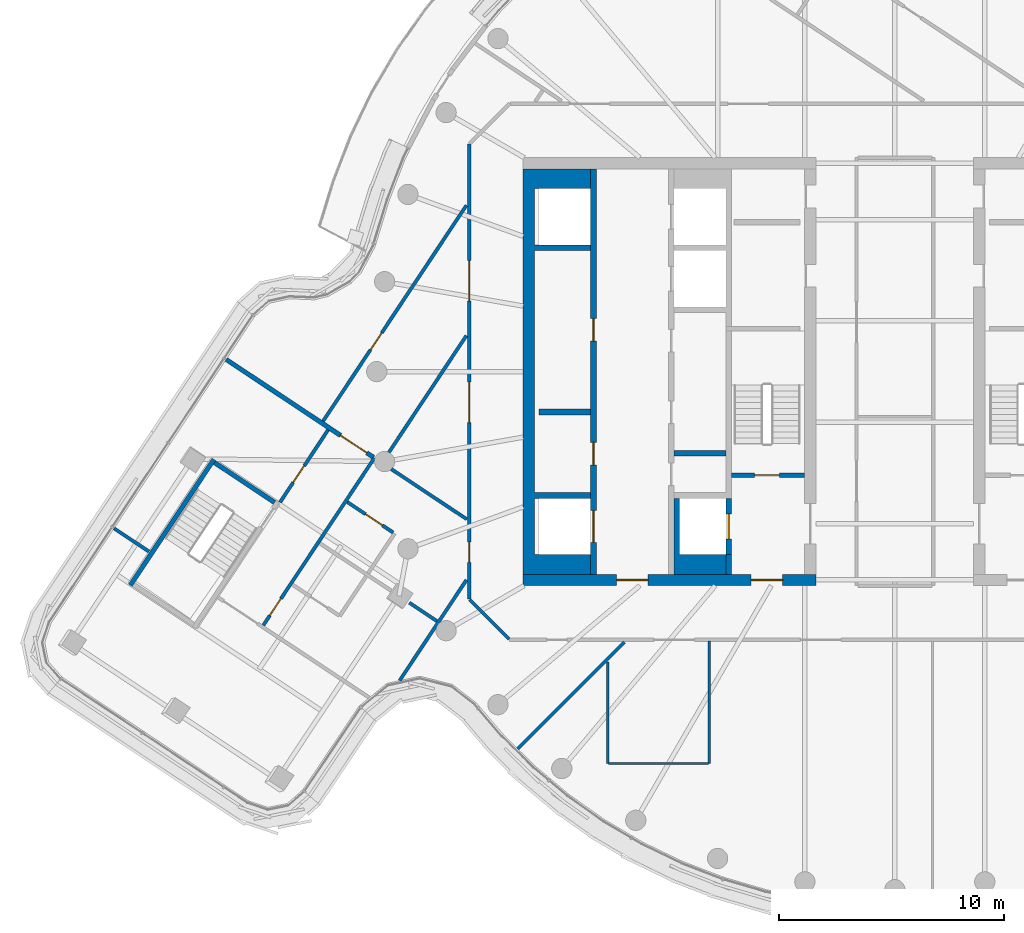
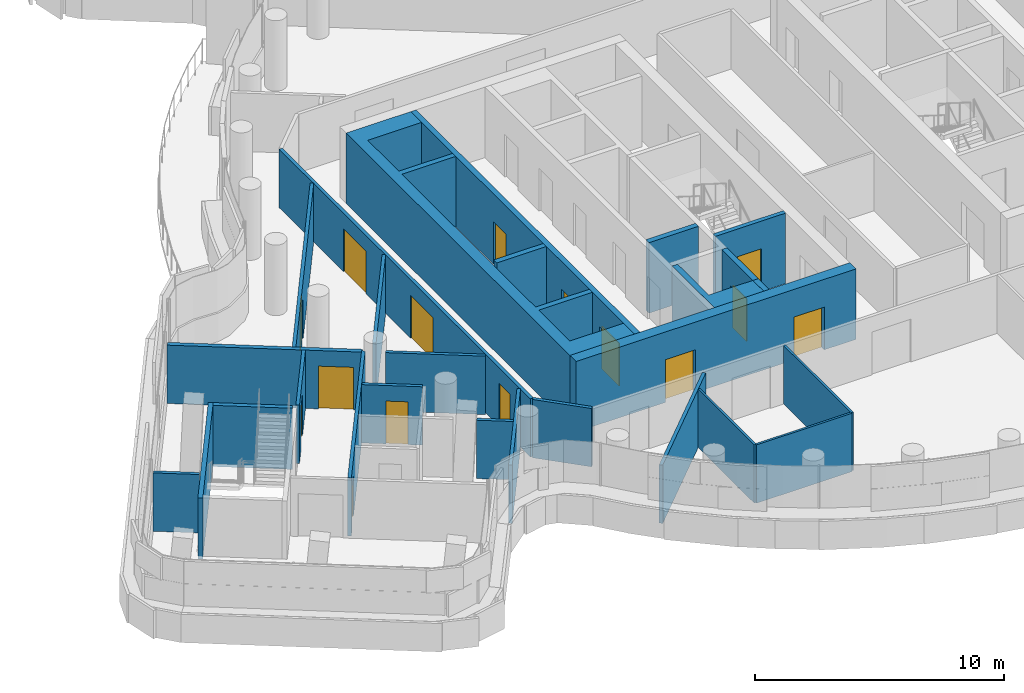
# One storey, part 17 of 27: 27 walls, 15 doors, 15 openings.
"""IFC4 building model written with IfcOpenShell, lengths in metres."""

from ifc_helpers import new_model, si_unit, direction, frame, frame_2d, origin, place, context, subcontext, project, spatial, polyline, rectangle, outline, extrude, material, layer, layer_set, type_object, element, fill, save


model = new_model("IFC4")

# Units and contexts
model_context = context("Model", 3, precision=1e-05, world=origin(), true_north=direction((0.0, 1.0)))
body_context = subcontext(model_context, "Body", "Model", "MODEL_VIEW")
ifc_project = project(units=[si_unit("LENGTHUNIT", "METRE"), si_unit("AREAUNIT", "SQUARE_METRE"), si_unit("VOLUMEUNIT", "CUBIC_METRE"), si_unit("PLANEANGLEUNIT", "RADIAN"), si_unit("MASSUNIT", "GRAM", prefix="KILO")], contexts=[model_context])

# Site, building, storey
site_placement = place(None, origin())
site = spatial("IfcSite", under=ifc_project, at=site_placement, CompositionType="ELEMENT")
building_placement = place(site_placement, origin())
building = spatial("IfcBuilding", under=site, at=building_placement, Name="Tamarind Cross Interchange Tower", CompositionType="ELEMENT")
storey_placement = place(building_placement, frame((0.0, 0.0, 237.89990234375)))
storey = spatial("IfcBuildingStorey", under=building, at=storey_placement, Name="L60", CompositionType="ELEMENT", Elevation=237.89990234375)

# Wall, openings, doors
ifc_material_1 = material(Name="Concrete C50", Category="concrete")
ifc_layer_1 = layer(ifc_material_1, 0.5)
ifc_layer_set_1 = layer_set([ifc_layer_1], Name="Concrete C50")
wall_type_1 = type_object("IfcWallType", Name="Core wall 500 mm Concrete C50", PredefinedType="SHEAR", material=ifc_layer_set_1)
wall_1_placement = place(storey_placement, frame((-16.5, -9.25, 0.0), z_axis=(0.0, 0.0, 1.0), x_axis=(1.0, 0.0, 0.0)))
wall_1 = element("IfcWall", 1, at=wall_1_placement, inside=storey, type_object=wall_type_1, Name="Core wall CWL-L60-W-S", PredefinedType="SHEAR", context=body_context, shape_type="SweptSolid", body=[
    extrude(rectangle(XDim=13.0, YDim=0.5, at=frame_2d((6.5, 0.0))), origin(), (0.0, 0.0, 1.0), 3.460205078125),
])
opening_1_placement = place(wall_1_placement, frame((4.14990234375, 0.0, 0.0)))
opening_1 = element("IfcOpeningElement", 2, at=opening_1_placement, cuts=wall_1, Name="Opening DCW1", PredefinedType="OPENING", context=body_context, shape_type="SweptSolid", body=[
    extrude(rectangle(XDim=1.39990234375, YDim=2.10009765625, at=frame_2d((0.699951171875, 1.050048828125))), frame((0.0, 0.260009765625, 0.0), z_axis=(0.0, -1.0, 0.0), x_axis=(1.0, 0.0, 0.0)), (0.0, 0.0, 1.0), 0.52001953125),
])
opening_2_placement = place(wall_1_placement, frame((10.125, 0.0, 0.0)))
opening_2 = element("IfcOpeningElement", 3, at=opening_2_placement, cuts=wall_1, Name="Opening DCWF", PredefinedType="OPENING", context=body_context, shape_type="SweptSolid", body=[
    extrude(rectangle(XDim=1.39990234375, YDim=2.10009765625, at=frame_2d((0.699951171875, 1.050048828125))), frame((0.0, 0.260009765625, 0.0), z_axis=(0.0, -1.0, 0.0), x_axis=(1.0, 0.0, 0.0)), (0.0, 0.0, 1.0), 0.52001953125),
])
ifc_material_2 = material(Name="Steel, fire-resisting", Category="steel")
door_type_1 = type_object("IfcDoorType", Name="Core fire door 1400 x 2100 FD90", OperationType="SINGLE_SWING_LEFT", PredefinedType="DOOR", material=ifc_material_2)
door_1_placement = place(opening_1_placement, origin())
door_1 = element("IfcDoor", 4, at=door_1_placement, inside=storey, type_object=door_type_1, Name="L60 lift lobby door", OperationType="SINGLE_SWING_LEFT", OverallHeight=2.10009765625, OverallWidth=1.39990234375, PredefinedType="DOOR", context=body_context, shape_type="SweptSolid", body=[
    extrude(rectangle(XDim=1.39990234375, YDim=2.10009765625, at=frame_2d((0.699951171875, 1.050048828125))), frame((0.0, 0.02490234375, 0.0), z_axis=(0.0, -1.0, 0.0), x_axis=(1.0, 0.0, 0.0)), (0.0, 0.0, 1.0), 0.050048828125),
])
fill(opening_1, door_1)
door_2_placement = place(opening_2_placement, origin())
door_2 = element("IfcDoor", 5, at=door_2_placement, inside=storey, type_object=door_type_1, Name="L60 firefighting lobby end door", OperationType="SINGLE_SWING_LEFT", OverallHeight=2.10009765625, OverallWidth=1.39990234375, PredefinedType="DOOR", context=body_context, shape_type="SweptSolid", body=[
    extrude(rectangle(XDim=1.39990234375, YDim=2.10009765625, at=frame_2d((0.699951171875, 1.050048828125))), frame((0.0, 0.02490234375, 0.0), z_axis=(0.0, -1.0, 0.0), x_axis=(1.0, 0.0, 0.0)), (0.0, 0.0, 1.0), 0.050048828125),
])
fill(opening_2, door_2)

# Walls
wall_2_placement = place(storey_placement, origin())
element("IfcWall", 6, at=wall_2_placement, inside=storey, type_object=wall_type_1, Name="Core wall CWL-L60-W-A", PredefinedType="SHEAR", context=body_context, shape_type="SweptSolid", body=[
    extrude(outline(polyline([(-13.5, -8.125), (-16.0, -8.125), (-16.0, -5.625), (-13.5, -5.625), (-13.5, -5.375), (-16.0, -5.375), (-16.0, 5.375), (-13.5, 5.375), (-13.5, 5.625), (-16.0, 5.625), (-16.0, 8.125), (-13.5, 8.125), (-13.5, 9.0), (-16.0, 9.0), (-16.5, 9.0), (-16.5, -9.0), (-16.0, -9.0), (-13.5, -9.0), (-13.5, -8.125)])), origin(), (0.0, 0.0, 1.0), 3.460205078125),
])
ifc_layer_2 = layer(ifc_material_1, 0.25)
ifc_layer_set_2 = layer_set([ifc_layer_2], Name="Concrete C50")
wall_type_2 = type_object("IfcWallType", Name="Core web wall 250 mm Concrete C50", PredefinedType="SHEAR", material=ifc_layer_set_2)
wall_3_placement = place(storey_placement, origin())
element("IfcWall", 7, at=wall_3_placement, inside=storey, type_object=wall_type_2, Name="Core wall CWL-L60-W-BS", PredefinedType="SHEAR", context=body_context, shape_type="SweptSolid", body=[
    extrude(outline(polyline([(-7.5, -8.125), (-9.550048828125, -8.125), (-9.550048828125, -5.625), (-9.800048828125, -5.625), (-9.800048828125, -8.125), (-9.800048828125, -9.0), (-7.5, -9.0), (-7.5, -8.125)])), origin(), (0.0, 0.0, 1.0), 3.460205078125),
])
wall_4_placement = place(storey_placement, frame((-7.375, -9.0, 0.0), z_axis=(0.0, 0.0, 1.0), x_axis=(0.0, 1.0, 0.0)))
element("IfcWall", 8, at=wall_4_placement, inside=storey, type_object=wall_type_2, Name="Core wall CWL-L60-W-BW", PredefinedType="SHEAR", context=body_context, shape_type="SweptSolid", body=[
    extrude(rectangle(XDim=0.875, YDim=0.25, at=frame_2d((0.4375, 0.0))), origin(), (0.0, 0.0, 1.0), 3.460205078125),
])

# Wall, openings, doors
wall_5_placement = place(storey_placement, frame((-13.375, -9.0, 0.0), z_axis=(0.0, 0.0, 1.0), x_axis=(0.0, 1.0, 0.0)))
wall_5 = element("IfcWall", 9, at=wall_5_placement, inside=storey, type_object=wall_type_2, Name="Core wall CWL-L60-W-LA", PredefinedType="SHEAR", context=body_context, shape_type="SweptSolid", body=[
    extrude(rectangle(XDim=18.0, YDim=0.25, at=frame_2d((9.0, 0.0))), origin(), (0.0, 0.0, 1.0), 3.460205078125),
])
opening_3_placement = place(wall_5_placement, frame((1.425048828125, 0.0, 0.0)))
opening_3 = element("IfcOpeningElement", 10, at=opening_3_placement, cuts=wall_5, Name="Opening LD1L60", PredefinedType="OPENING", context=body_context, shape_type="SweptSolid", body=[
    extrude(rectangle(XDim=1.39990234375, YDim=2.10009765625, at=frame_2d((0.699951171875, 1.050048828125))), frame((0.0, 0.135009765625, 0.0), z_axis=(0.0, -1.0, 0.0), x_axis=(1.0, 0.0, 0.0)), (0.0, 0.0, 1.0), 0.27001953125),
])
opening_4_placement = place(wall_5_placement, frame((4.85400390625, 0.0, 0.0)))
opening_4 = element("IfcOpeningElement", 11, at=opening_4_placement, cuts=wall_5, Name="Opening DCW9", PredefinedType="OPENING", context=body_context, shape_type="SweptSolid", body=[
    extrude(rectangle(XDim=1.0, YDim=2.10009765625, at=frame_2d((0.5, 1.050048828125))), frame((0.0, 0.135009765625, 0.0), z_axis=(0.0, -1.0, 0.0), x_axis=(1.0, 0.0, 0.0)), (0.0, 0.0, 1.0), 0.27001953125),
])
opening_5_placement = place(wall_5_placement, frame((10.35400390625, 0.0, 0.0)))
opening_5 = element("IfcOpeningElement", 12, at=opening_5_placement, cuts=wall_5, Name="Opening DCW10", PredefinedType="OPENING", context=body_context, shape_type="SweptSolid", body=[
    extrude(rectangle(XDim=1.0, YDim=2.10009765625, at=frame_2d((0.5, 1.050048828125))), frame((0.0, 0.135009765625, 0.0), z_axis=(0.0, -1.0, 0.0), x_axis=(1.0, 0.0, 0.0)), (0.0, 0.0, 1.0), 0.27001953125),
])
door_type_2 = type_object("IfcDoorType", Name="Core fire door 1000 x 2100 FD90", OperationType="SINGLE_SWING_LEFT", PredefinedType="DOOR", material=ifc_material_2)
door_3_placement = place(opening_4_placement, origin())
door_3 = element("IfcDoor", 13, at=door_3_placement, inside=storey, type_object=door_type_2, Name="L60 Staff changing room door", OperationType="SINGLE_SWING_LEFT", OverallHeight=2.10009765625, OverallWidth=1.0, PredefinedType="DOOR", context=body_context, shape_type="SweptSolid", body=[
    extrude(rectangle(XDim=1.0, YDim=2.10009765625, at=frame_2d((0.5, 1.050048828125))), frame((0.0, 0.02490234375, 0.0), z_axis=(0.0, -1.0, 0.0), x_axis=(1.0, 0.0, 0.0)), (0.0, 0.0, 1.0), 0.050048828125),
])
fill(opening_4, door_3)
door_4_placement = place(opening_5_placement, origin())
door_4 = element("IfcDoor", 14, at=door_4_placement, inside=storey, type_object=door_type_2, Name="L60 Ice and vending room door", OperationType="SINGLE_SWING_LEFT", OverallHeight=2.10009765625, OverallWidth=1.0, PredefinedType="DOOR", context=body_context, shape_type="SweptSolid", body=[
    extrude(rectangle(XDim=1.0, YDim=2.10009765625, at=frame_2d((0.5, 1.050048828125))), frame((0.0, 0.02490234375, 0.0), z_axis=(0.0, -1.0, 0.0), x_axis=(1.0, 0.0, 0.0)), (0.0, 0.0, 1.0), 0.050048828125),
])
fill(opening_5, door_4)
ifc_material_3 = material(Name="Stainless steel panel", Category="steel")
door_type_3 = type_object("IfcDoorType", Name="Lift landing door 1400 x 2100 E 120", OperationType="SLIDING_TO_LEFT", PredefinedType="DOOR", material=ifc_material_3)
door_5_placement = place(opening_3_placement, origin())
door_5 = element("IfcDoor", 15, at=door_5_placement, inside=storey, type_object=door_type_3, Name="L60 landing door LF1", OperationType="SLIDING_TO_LEFT", OverallHeight=2.10009765625, OverallWidth=1.39990234375, PredefinedType="DOOR", context=body_context, shape_type="SweptSolid", body=[
    extrude(rectangle(XDim=1.39990234375, YDim=2.10009765625, at=frame_2d((0.699951171875, 1.050048828125))), frame((0.0, 0.02490234375, 0.0), z_axis=(0.0, -1.0, 0.0), x_axis=(1.0, 0.0, 0.0)), (0.0, 0.0, 1.0), 0.050048828125),
])
fill(opening_3, door_5)

# Wall, opening, door
wall_6_placement = place(storey_placement, frame((-7.375, -8.125, 0.0), z_axis=(0.0, 0.0, 1.0), x_axis=(0.0, 1.0, 0.0)))
wall_6 = element("IfcWall", 16, at=wall_6_placement, inside=storey, type_object=wall_type_2, Name="Core wall CWL-L60-W-FF", PredefinedType="SHEAR", context=body_context, shape_type="SweptSolid", body=[
    extrude(rectangle(XDim=2.5, YDim=0.25, at=frame_2d((1.25, 0.0))), origin(), (0.0, 0.0, 1.0), 3.460205078125),
])
opening_6_placement = place(wall_6_placement, frame((0.699951171875, 0.0, 0.0)))
opening_6 = element("IfcOpeningElement", 17, at=opening_6_placement, cuts=wall_6, Name="Opening LD7L60", PredefinedType="OPENING", context=body_context, shape_type="SweptSolid", body=[
    extrude(rectangle(XDim=1.10009765625, YDim=2.10009765625, at=frame_2d((0.550048828125, 1.050048828125))), frame((0.0, 0.135009765625, 0.0), z_axis=(0.0, -1.0, 0.0), x_axis=(1.0, 0.0, 0.0)), (0.0, 0.0, 1.0), 0.27001953125),
])
door_type_4 = type_object("IfcDoorType", Name="Lift landing door 1100 x 2100 E 120", OperationType="SLIDING_TO_LEFT", PredefinedType="DOOR", material=ifc_material_3)
door_6_placement = place(opening_6_placement, origin())
door_6 = element("IfcDoor", 18, at=door_6_placement, inside=storey, type_object=door_type_4, Name="L60 landing door LF7", OperationType="SLIDING_TO_LEFT", OverallHeight=2.10009765625, OverallWidth=1.10009765625, PredefinedType="DOOR", context=body_context, shape_type="SweptSolid", body=[
    extrude(rectangle(XDim=1.10009765625, YDim=2.10009765625, at=frame_2d((0.550048828125, 1.050048828125))), frame((0.0, 0.02490234375, 0.0), z_axis=(0.0, -1.0, 0.0), x_axis=(1.0, 0.0, 0.0)), (0.0, 0.0, 1.0), 0.050048828125),
])
fill(opening_6, door_6)

# Walls
ifc_material_4 = material(Name="Gypsum board partition on steel studs", Category="steel")
ifc_layer_3 = layer(ifc_material_4, 0.10009765625)
ifc_layer_set_3 = layer_set([ifc_layer_3], Name="Gypsum board partition on steel studs")
wall_type_3 = type_object("IfcWallType", Name="Partition 100 mm EI 90", PredefinedType="PARTITIONING", material=ifc_layer_set_3)
wall_7_placement = place(storey_placement, frame((-12.7060546875, -17.39990234375, 0.0), z_axis=(0.0, 0.0, 1.0), x_axis=(1.0, 0.0, 0.0)))
element("IfcWall", 19, at=wall_7_placement, inside=storey, type_object=wall_type_3, Name="Partition L60-029", PredefinedType="PARTITIONING", context=body_context, shape_type="SweptSolid", body=[
    extrude(rectangle(XDim=4.43017578125, YDim=0.10009765625, at=frame_2d((2.215087890625, 0.0))), origin(), (0.0, 0.0, 1.0), 2.864013671875),
])
wall_8_placement = place(storey_placement, frame((-12.740966796875, -17.39990234375, 0.0), z_axis=(0.0, 0.0, 1.0), x_axis=(0.0, 1.0, 0.0)))
element("IfcWall", 20, at=wall_8_placement, inside=storey, type_object=wall_type_3, Name="Partition L60-059", PredefinedType="PARTITIONING", context=body_context, shape_type="SweptSolid", body=[
    extrude(rectangle(XDim=4.518798828125, YDim=0.10009765625, at=frame_2d((2.25927734375, 0.0))), origin(), (0.0, 0.0, 1.0), 2.864013671875),
])
wall_9_placement = place(storey_placement, frame((-8.240966796875, -17.39990234375, 0.0), z_axis=(0.0, 0.0, 1.0), x_axis=(0.0, 1.0, 0.0)))
element("IfcWall", 21, at=wall_9_placement, inside=storey, type_object=wall_type_3, Name="Partition L60-060", PredefinedType="PARTITIONING", context=body_context, shape_type="SweptSolid", body=[
    extrude(rectangle(XDim=5.44482421875, YDim=0.10009765625, at=frame_2d((2.722412109375, 0.0))), origin(), (0.0, 0.0, 1.0), 2.864013671875),
])
ifc_layer_4 = layer(ifc_material_4, 0.14990234375)
ifc_layer_set_4 = layer_set([ifc_layer_4], Name="Gypsum board partition on steel studs")
wall_type_4 = type_object("IfcWallType", Name="Partition 150 mm EI 120", PredefinedType="PARTITIONING", material=ifc_layer_set_4)
wall_10_placement = place(storey_placement, frame((-18.87158203125, -10.12841796875, 0.0), z_axis=(0.0, 0.0, 1.0), x_axis=(0.707106781187, -0.707106781187, 0.0)))
element("IfcWall", 22, at=wall_10_placement, inside=storey, type_object=wall_type_4, Name="Partition L60-001", PredefinedType="PARTITIONING", context=body_context, shape_type="SweptSolid", body=[
    extrude(rectangle(XDim=2.465087890625, YDim=0.14990234375, at=frame_2d((1.232421875, 0.0))), origin(), (0.0, 0.0, 1.0), 2.864013671875),
])
wall_11_placement = place(storey_placement, frame((-34.660888671875, -6.958740234375, 0.0), z_axis=(0.0, 0.0, 1.0), x_axis=(0.8333210434, -0.552789325717, 0.0)))
element("IfcWall", 23, at=wall_11_placement, inside=storey, type_object=wall_type_4, Name="Partition L60-004", PredefinedType="PARTITIONING", context=body_context, shape_type="SweptSolid", body=[
    extrude(rectangle(XDim=1.85888671875, YDim=0.14990234375, at=frame_2d((0.929443359375, 0.0))), origin(), (0.0, 0.0, 1.0), 2.864013671875),
])
wall_12_placement = place(storey_placement, frame((-22.3544921875, -4.326171875, 0.0), z_axis=(0.0, 0.0, 1.0), x_axis=(0.83312158498, -0.553089888391, 0.0)))
element("IfcWall", 24, at=wall_12_placement, inside=storey, type_object=wall_type_4, Name="Partition L60-007", PredefinedType="PARTITIONING", context=body_context, shape_type="SweptSolid", body=[
    extrude(rectangle(XDim=4.026123046875, YDim=0.14990234375, at=frame_2d((2.01318359375, 0.0))), origin(), (0.0, 0.0, 1.0), 2.864013671875),
])
wall_13_placement = place(storey_placement, frame((-21.552490234375, -10.260009765625, 0.0), z_axis=(0.0, 0.0, 1.0), x_axis=(0.833018554475, -0.553245052305, 0.0)))
element("IfcWall", 25, at=wall_13_placement, inside=storey, type_object=wall_type_4, Name="Partition L60-010", PredefinedType="PARTITIONING", context=body_context, shape_type="SweptSolid", body=[
    extrude(rectangle(XDim=1.47216796875, YDim=0.14990234375, at=frame_2d((0.736083984375, 0.0))), origin(), (0.0, 0.0, 1.0), 2.864013671875),
])

# Wall, opening, door
wall_14_placement = place(storey_placement, frame((-24.307373046875, -5.790283203125, 0.0), z_axis=(0.0, 0.0, 1.0), x_axis=(0.833108797883, -0.553109149164, 0.0)))
wall_14 = element("IfcWall", 26, at=wall_14_placement, inside=storey, type_object=wall_type_4, Name="Partition L60-011", PredefinedType="PARTITIONING", context=body_context, shape_type="SweptSolid", body=[
    extrude(rectangle(XDim=2.44482421875, YDim=0.14990234375, at=frame_2d((1.222412109375, 0.0))), origin(), (0.0, 0.0, 1.0), 2.864013671875),
])
opening_7_placement = place(wall_14_placement, frame((0.969970703125, 0.0, 0.0)))
opening_7 = element("IfcOpeningElement", 27, at=opening_7_placement, cuts=wall_14, Name="Opening D04", PredefinedType="OPENING", context=body_context, shape_type="SweptSolid", body=[
    extrude(rectangle(XDim=0.89990234375, YDim=2.10009765625, at=frame_2d((0.449951171875, 1.050048828125))), frame((0.0, 0.0849609375, 0.0), z_axis=(0.0, -1.0, 0.0), x_axis=(1.0, 0.0, 0.0)), (0.0, 0.0, 1.0), 0.169921875),
])
ifc_material_5 = material(Name="Fire-resisting door set")
door_type_5 = type_object("IfcDoorType", Name="Interior door 900 x 2100 FD60S", OperationType="SINGLE_SWING_LEFT", PredefinedType="DOOR", material=ifc_material_5)
door_7_placement = place(opening_7_placement, frame((0.89990234375, 0.0, 0.0), z_axis=(0.0, 0.0, 1.0), x_axis=(-1.0, 0.0, 0.0)))
door_7 = element("IfcDoor", 28, at=door_7_placement, inside=storey, type_object=door_type_5, Name="Door D04", OperationType="SINGLE_SWING_RIGHT", OverallHeight=2.10009765625, OverallWidth=0.89990234375, PredefinedType="DOOR", context=body_context, shape_type="SweptSolid", body=[
    extrude(rectangle(XDim=0.89990234375, YDim=2.10009765625, at=frame_2d((0.449951171875, 1.050048828125))), frame((0.0, 0.02490234375, 0.0), z_axis=(0.0, -1.0, 0.0), x_axis=(1.0, 0.0, 0.0)), (0.0, 0.0, 1.0), 0.050048828125),
])
fill(opening_7, door_7)

# Wall
wall_15_placement = place(storey_placement, frame((-16.740478515625, -16.740478515625, 0.0), z_axis=(0.0, 0.0, 1.0), x_axis=(0.707106781187, 0.707106781187, 0.0)))
element("IfcWall", 29, at=wall_15_placement, inside=storey, type_object=wall_type_4, Name="Partition L60-036", PredefinedType="PARTITIONING", context=body_context, shape_type="SweptSolid", body=[
    extrude(rectangle(XDim=6.690673828125, YDim=0.14990234375, at=frame_2d((3.34521484375, 0.0))), origin(), (0.0, 0.0, 1.0), 2.864013671875),
])

# Wall, opening, door
wall_16_placement = place(storey_placement, frame((-28.035888671875, -11.260498046875, 0.0), z_axis=(0.0, 0.0, 1.0), x_axis=(0.553101083617, 0.833114152623, 0.0)))
wall_16 = element("IfcWall", 30, at=wall_16_placement, inside=storey, type_object=wall_type_4, Name="Partition L60-038", PredefinedType="PARTITIONING", context=body_context, shape_type="SweptSolid", body=[
    extrude(rectangle(XDim=8.91943359375, YDim=0.14990234375, at=frame_2d((4.459716796875, 0.0))), origin(), (0.0, 0.0, 1.0), 2.864013671875),
])
opening_8_placement = place(wall_16_placement, frame((0.52001953125, 0.0, 0.0)))
opening_8 = element("IfcOpeningElement", 31, at=opening_8_placement, cuts=wall_16, Name="Opening D19", PredefinedType="OPENING", context=body_context, shape_type="SweptSolid", body=[
    extrude(rectangle(XDim=0.89990234375, YDim=2.10009765625, at=frame_2d((0.449951171875, 1.050048828125))), frame((0.0, 0.0849609375, 0.0), z_axis=(0.0, -1.0, 0.0), x_axis=(1.0, 0.0, 0.0)), (0.0, 0.0, 1.0), 0.169921875),
])
door_8_placement = place(opening_8_placement, frame((0.89990234375, 0.0, 0.0), z_axis=(0.0, 0.0, 1.0), x_axis=(-1.0, 0.0, 0.0)))
door_8 = element("IfcDoor", 32, at=door_8_placement, inside=storey, type_object=door_type_5, Name="Door D19", OperationType="SINGLE_SWING_LEFT", OverallHeight=2.10009765625, OverallWidth=0.89990234375, PredefinedType="DOOR", context=body_context, shape_type="SweptSolid", body=[
    extrude(rectangle(XDim=0.89990234375, YDim=2.10009765625, at=frame_2d((0.449951171875, 1.050048828125))), frame((0.0, 0.02490234375, 0.0), z_axis=(0.0, -1.0, 0.0), x_axis=(1.0, 0.0, 0.0)), (0.0, 0.0, 1.0), 0.050048828125),
])
fill(opening_8, door_8)

wall_17_placement = place(storey_placement, frame((-27.291748046875, -5.80029296875, 0.0), z_axis=(0.0, 0.0, 1.0), x_axis=(0.553107875526, 0.833109643463, 0.0)))
wall_17 = element("IfcWall", 33, at=wall_17_placement, inside=storey, type_object=wall_type_4, Name="Partition L60-039", PredefinedType="PARTITIONING", context=body_context, shape_type="SweptSolid", body=[
    extrude(rectangle(XDim=3.859130859375, YDim=0.14990234375, at=frame_2d((1.9296875, 0.0))), origin(), (0.0, 0.0, 1.0), 2.864013671875),
])
opening_9_placement = place(wall_17_placement, frame((1.050048828125, 0.0, 0.0)))
opening_9 = element("IfcOpeningElement", 34, at=opening_9_placement, cuts=wall_17, Name="Opening D20", PredefinedType="OPENING", context=body_context, shape_type="SweptSolid", body=[
    extrude(rectangle(XDim=0.89990234375, YDim=2.10009765625, at=frame_2d((0.449951171875, 1.050048828125))), frame((0.0, 0.0849609375, 0.0), z_axis=(0.0, -1.0, 0.0), x_axis=(1.0, 0.0, 0.0)), (0.0, 0.0, 1.0), 0.169921875),
])
door_9_placement = place(opening_9_placement, origin())
door_9 = element("IfcDoor", 35, at=door_9_placement, inside=storey, type_object=door_type_5, Name="Door D20", OperationType="SINGLE_SWING_RIGHT", OverallHeight=2.10009765625, OverallWidth=0.89990234375, PredefinedType="DOOR", context=body_context, shape_type="SweptSolid", body=[
    extrude(rectangle(XDim=0.89990234375, YDim=2.10009765625, at=frame_2d((0.449951171875, 1.050048828125))), frame((0.0, 0.02490234375, 0.0), z_axis=(0.0, -1.0, 0.0), x_axis=(1.0, 0.0, 0.0)), (0.0, 0.0, 1.0), 0.050048828125),
])
fill(opening_9, door_9)

wall_18_placement = place(storey_placement, frame((-25.379638671875, -2.19775390625, 0.0), z_axis=(0.0, 0.0, 1.0), x_axis=(0.553121660505, 0.833100491346, 0.0)))
wall_18 = element("IfcWall", 36, at=wall_18_placement, inside=storey, type_object=wall_type_4, Name="Partition L60-040", PredefinedType="PARTITIONING", context=body_context, shape_type="SweptSolid", body=[
    extrude(rectangle(XDim=11.5, YDim=0.14990234375, at=frame_2d((5.75, 0.0))), origin(), (0.0, 0.0, 1.0), 2.864013671875),
])
opening_10_placement = place(wall_18_placement, frame((3.800048828125, 0.0, 0.0)))
opening_10 = element("IfcOpeningElement", 37, at=opening_10_placement, cuts=wall_18, Name="Opening D21", PredefinedType="OPENING", context=body_context, shape_type="SweptSolid", body=[
    extrude(rectangle(XDim=0.89990234375, YDim=2.10009765625, at=frame_2d((0.449951171875, 1.050048828125))), frame((0.0, 0.0849609375, 0.0), z_axis=(0.0, -1.0, 0.0), x_axis=(1.0, 0.0, 0.0)), (0.0, 0.0, 1.0), 0.169921875),
])
door_10_placement = place(opening_10_placement, origin())
door_10 = element("IfcDoor", 38, at=door_10_placement, inside=storey, type_object=door_type_5, Name="Door D21", OperationType="SINGLE_SWING_RIGHT", OverallHeight=2.10009765625, OverallWidth=0.89990234375, PredefinedType="DOOR", context=body_context, shape_type="SweptSolid", body=[
    extrude(rectangle(XDim=0.89990234375, YDim=2.10009765625, at=frame_2d((0.449951171875, 1.050048828125))), frame((0.0, 0.02490234375, 0.0), z_axis=(0.0, -1.0, 0.0), x_axis=(1.0, 0.0, 0.0)), (0.0, 0.0, 1.0), 0.050048828125),
])
fill(opening_10, door_10)

# Walls
wall_19_placement = place(storey_placement, frame((-22.459716796875, -3.585205078125, 0.0), z_axis=(0.0, 0.0, 1.0), x_axis=(0.55308718421, 0.833123380216, 0.0)))
element("IfcWall", 39, at=wall_19_placement, inside=storey, type_object=wall_type_4, Name="Partition L60-043", PredefinedType="PARTITIONING", context=body_context, shape_type="SweptSolid", body=[
    extrude(rectangle(XDim=6.22119140625, YDim=0.14990234375, at=frame_2d((3.110595703125, 0.0))), origin(), (0.0, 0.0, 1.0), 2.864013671875),
])
wall_20_placement = place(storey_placement, frame((-21.984619140625, -13.716552734375, 0.0), z_axis=(0.0, 0.0, 1.0), x_axis=(0.553165057738, 0.833071676927, 0.0)))
element("IfcWall", 40, at=wall_20_placement, inside=storey, type_object=wall_type_4, Name="Partition L60-044", PredefinedType="PARTITIONING", context=body_context, shape_type="SweptSolid", body=[
    extrude(rectangle(XDim=5.361572265625, YDim=0.14990234375, at=frame_2d((2.6806640625, 0.0))), origin(), (0.0, 0.0, 1.0), 2.864013671875),
])

# Wall, openings, doors
wall_21_placement = place(storey_placement, frame((-18.89990234375, -10.10009765625, 0.0), z_axis=(0.0, 0.0, 1.0), x_axis=(0.0, 1.0, 0.0)))
wall_21 = element("IfcWall", 41, at=wall_21_placement, inside=storey, type_object=wall_type_4, Name="Partition L60-058", PredefinedType="PARTITIONING", context=body_context, shape_type="SweptSolid", body=[
    extrude(rectangle(XDim=20.2001953125, YDim=0.14990234375, at=frame_2d((10.10009765625, 0.0))), origin(), (0.0, 0.0, 1.0), 2.864013671875),
])
opening_11_placement = place(wall_21_placement, frame((13.22705078125, 0.0, 0.0)))
opening_11 = element("IfcOpeningElement", 42, at=opening_11_placement, cuts=wall_21, Name="Opening D29", PredefinedType="OPENING", context=body_context, shape_type="SweptSolid", body=[
    extrude(rectangle(XDim=1.800048828125, YDim=2.10009765625, at=frame_2d((0.89990234375, 1.050048828125))), frame((0.0, 0.0849609375, 0.0), z_axis=(0.0, -1.0, 0.0), x_axis=(1.0, 0.0, 0.0)), (0.0, 0.0, 1.0), 0.169921875),
])
opening_12_placement = place(wall_21_placement, frame((7.8310546875, 0.0, 0.0)))
opening_12 = element("IfcOpeningElement", 43, at=opening_12_placement, cuts=wall_21, Name="Opening D30", PredefinedType="OPENING", context=body_context, shape_type="SweptSolid", body=[
    extrude(rectangle(XDim=1.800048828125, YDim=2.10009765625, at=frame_2d((0.89990234375, 1.050048828125))), frame((0.0, 0.0849609375, 0.0), z_axis=(0.0, -1.0, 0.0), x_axis=(1.0, 0.0, 0.0)), (0.0, 0.0, 1.0), 0.169921875),
])
opening_13_placement = place(wall_21_placement, frame((1.62890625, 0.0, 0.0)))
opening_13 = element("IfcOpeningElement", 44, at=opening_13_placement, cuts=wall_21, Name="Opening D31", PredefinedType="OPENING", context=body_context, shape_type="SweptSolid", body=[
    extrude(rectangle(XDim=0.89990234375, YDim=2.10009765625, at=frame_2d((0.449951171875, 1.050048828125))), frame((0.0, 0.0849609375, 0.0), z_axis=(0.0, -1.0, 0.0), x_axis=(1.0, 0.0, 0.0)), (0.0, 0.0, 1.0), 0.169921875),
])
door_type_6 = type_object("IfcDoorType", Name="Interior door 1800 x 2100 FD60S", OperationType="DOUBLE_DOOR_SINGLE_SWING", PredefinedType="DOOR", material=ifc_material_5)
door_11_placement = place(opening_11_placement, frame((1.800048828125, 0.0, 0.0), z_axis=(0.0, 0.0, 1.0), x_axis=(-1.0, 0.0, 0.0)))
door_11 = element("IfcDoor", 45, at=door_11_placement, inside=storey, type_object=door_type_6, Name="Door D29", OperationType="DOUBLE_DOOR_SINGLE_SWING", OverallHeight=2.10009765625, OverallWidth=1.800048828125, PredefinedType="DOOR", context=body_context, shape_type="SweptSolid", body=[
    extrude(rectangle(XDim=1.800048828125, YDim=2.10009765625, at=frame_2d((0.89990234375, 1.050048828125))), frame((0.0, 0.02490234375, 0.0), z_axis=(0.0, -1.0, 0.0), x_axis=(1.0, 0.0, 0.0)), (0.0, 0.0, 1.0), 0.050048828125),
])
fill(opening_11, door_11)
door_12_placement = place(opening_12_placement, origin())
door_12 = element("IfcDoor", 46, at=door_12_placement, inside=storey, type_object=door_type_6, Name="Door D30", OperationType="DOUBLE_DOOR_SINGLE_SWING", OverallHeight=2.10009765625, OverallWidth=1.800048828125, PredefinedType="DOOR", context=body_context, shape_type="SweptSolid", body=[
    extrude(rectangle(XDim=1.800048828125, YDim=2.10009765625, at=frame_2d((0.89990234375, 1.050048828125))), frame((0.0, 0.02490234375, 0.0), z_axis=(0.0, -1.0, 0.0), x_axis=(1.0, 0.0, 0.0)), (0.0, 0.0, 1.0), 0.050048828125),
])
fill(opening_12, door_12)
door_13_placement = place(opening_13_placement, origin())
door_13 = element("IfcDoor", 47, at=door_13_placement, inside=storey, type_object=door_type_5, Name="Door D31", OperationType="SINGLE_SWING_RIGHT", OverallHeight=2.10009765625, OverallWidth=0.89990234375, PredefinedType="DOOR", context=body_context, shape_type="SweptSolid", body=[
    extrude(rectangle(XDim=0.89990234375, YDim=2.10009765625, at=frame_2d((0.449951171875, 1.050048828125))), frame((0.0, 0.02490234375, 0.0), z_axis=(0.0, -1.0, 0.0), x_axis=(1.0, 0.0, 0.0)), (0.0, 0.0, 1.0), 0.050048828125),
])
fill(opening_13, door_13)

# Wall, opening, door
ifc_layer_5 = layer(ifc_material_4, 0.199951171875)
ifc_layer_set_5 = layer_set([ifc_layer_5], Name="Gypsum board partition on steel studs")
wall_type_5 = type_object("IfcWallType", Name="Partition 200 mm EI 180", PredefinedType="PARTITIONING", material=ifc_layer_set_5)
wall_22_placement = place(storey_placement, frame((-29.682861328125, 0.539306640625, 0.0), z_axis=(0.0, 0.0, 1.0), x_axis=(0.8331102862, -0.553106907413, 0.0)))
wall_22 = element("IfcWall", 48, at=wall_22_placement, inside=storey, type_object=wall_type_5, Name="Partition L60-006", PredefinedType="PARTITIONING", context=body_context, shape_type="SweptSolid", body=[
    extrude(rectangle(XDim=7.855224609375, YDim=0.199951171875, at=frame_2d((3.927734375, 0.0))), origin(), (0.0, 0.0, 1.0), 2.864013671875),
])
opening_14_placement = place(wall_22_placement, frame((6.0986328125, 0.0, 0.0)))
opening_14 = element("IfcOpeningElement", 49, at=opening_14_placement, cuts=wall_22, Name="Opening D02", PredefinedType="OPENING", context=body_context, shape_type="SweptSolid", body=[
    extrude(rectangle(XDim=1.39990234375, YDim=2.10009765625, at=frame_2d((0.699951171875, 1.050048828125))), frame((0.0, 0.10986328125, 0.0), z_axis=(0.0, -1.0, 0.0), x_axis=(1.0, 0.0, 0.0)), (0.0, 0.0, 1.0), 0.219970703125),
])
door_type_7 = type_object("IfcDoorType", Name="Interior door 1400 x 2100 FD120S", OperationType="DOUBLE_DOOR_SINGLE_SWING", PredefinedType="DOOR", material=ifc_material_5)
door_14_placement = place(opening_14_placement, origin())
door_14 = element("IfcDoor", 50, at=door_14_placement, inside=storey, type_object=door_type_7, Name="Door D02", OperationType="DOUBLE_DOOR_SINGLE_SWING", OverallHeight=2.10009765625, OverallWidth=1.39990234375, PredefinedType="DOOR", context=body_context, shape_type="SweptSolid", body=[
    extrude(rectangle(XDim=1.39990234375, YDim=2.10009765625, at=frame_2d((0.699951171875, 1.050048828125))), frame((0.0, 0.02490234375, 0.0), z_axis=(0.0, -1.0, 0.0), x_axis=(1.0, 0.0, 0.0)), (0.0, 0.0, 1.0), 0.050048828125),
])
fill(opening_14, door_14)

# Walls
ifc_material_6 = material(Name="Concrete C40", Category="concrete")
ifc_layer_6 = layer(ifc_material_6, 0.25)
ifc_layer_set_6 = layer_set([ifc_layer_6], Name="Concrete C40")
wall_type_6 = type_object("IfcWallType", Name="Shaft and lobby wall 250 mm Concrete C40", PredefinedType="PARTITIONING", material=ifc_layer_set_6)
for number, where, z_axis, x_axis, name in (
    (51, (-15.800048828125, -1.7919921875, 0.0), (0.0, 0.0, 1.0), (1.0, 0.0, 0.0), "Shaft wall CWL-L60-W-FPA1"),
    (52, (-9.800048828125, -3.625, 0.0), (0.0, 0.0, 1.0), (1.0, 0.0, 0.0), "Shaft wall CWL-L60-W-FPB1"),
):
    element("IfcWall", number, at=place(storey_placement, frame(where, z_axis=z_axis, x_axis=x_axis)), inside=storey, type_object=wall_type_6, Name=name, PredefinedType="PARTITIONING", context=body_context, shape_type="SweptSolid", body=[
        extrude(rectangle(XDim=2.300048828125, YDim=0.25, at=frame_2d((1.14990234375, 0.0))), origin(), (0.0, 0.0, 1.0), 3.460205078125),
    ])

# Wall, opening, door
ifc_layer_7 = layer(ifc_material_6, 0.199951171875)
ifc_layer_set_7 = layer_set([ifc_layer_7], Name="Concrete C40")
wall_type_7 = type_object("IfcWallType", Name="Stair shaft wall 200 mm Concrete C40", PredefinedType="SHEAR", material=ifc_layer_set_7)
wall_23_placement = place(storey_placement, frame((-7.25, -4.60009765625, 0.0), z_axis=(0.0, 0.0, 1.0), x_axis=(1.0, 0.0, 0.0)))
wall_23 = element("IfcWall", 53, at=wall_23_placement, inside=storey, type_object=wall_type_7, Name="Core wall CWL-L60-W-SD", PredefinedType="SHEAR", context=body_context, shape_type="SweptSolid", body=[
    extrude(rectangle(XDim=3.25, YDim=0.199951171875, at=frame_2d((1.625, 0.0))), origin(), (0.0, 0.0, 1.0), 3.460205078125),
])
opening_15_placement = place(wall_23_placement, frame((1.02490234375, 0.0, 0.0)))
opening_15 = element("IfcOpeningElement", 54, at=opening_15_placement, cuts=wall_23, Name="Opening DCW6", PredefinedType="OPENING", context=body_context, shape_type="SweptSolid", body=[
    extrude(rectangle(XDim=1.10009765625, YDim=2.10009765625, at=frame_2d((0.550048828125, 1.050048828125))), frame((0.0, 0.10986328125, 0.0), z_axis=(0.0, -1.0, 0.0), x_axis=(1.0, 0.0, 0.0)), (0.0, 0.0, 1.0), 0.219970703125),
])
door_type_8 = type_object("IfcDoorType", Name="Core fire door 1100 x 2100 FD90", OperationType="SINGLE_SWING_LEFT", PredefinedType="DOOR", material=ifc_material_2)
door_15_placement = place(opening_15_placement, origin())
door_15 = element("IfcDoor", 55, at=door_15_placement, inside=storey, type_object=door_type_8, Name="L60 stair door", OperationType="SINGLE_SWING_LEFT", OverallHeight=2.10009765625, OverallWidth=1.10009765625, PredefinedType="DOOR", context=body_context, shape_type="SweptSolid", body=[
    extrude(rectangle(XDim=1.10009765625, YDim=2.10009765625, at=frame_2d((0.550048828125, 1.050048828125))), frame((0.0, 0.02490234375, 0.0), z_axis=(0.0, -1.0, 0.0), x_axis=(1.0, 0.0, 0.0)), (0.0, 0.0, 1.0), 0.050048828125),
])
fill(opening_15, door_15)

# Walls
wall_24_placement = place(storey_placement, frame((-30.22998046875, -3.898681640625, -0.139892578125), z_axis=(0.0, 0.0, 1.0), x_axis=(-0.55310987671, -0.833108314858, 0.0)))
element("IfcWall", 56, at=wall_24_placement, inside=storey, type_object=wall_type_7, Name="Core wall CWL-L60-ST5-C", PredefinedType="SHEAR", context=body_context, shape_type="SweptSolid", body=[
    extrude(rectangle(XDim=6.699951171875, YDim=0.199951171875, at=frame_2d((3.35009765625, 0.0))), origin(), (0.0, 0.0, 1.0), 3.00390625),
])
wall_25_placement = place(storey_placement, frame((-30.201904296875, -4.037109375, -0.139892578125), z_axis=(0.0, 0.0, 1.0), x_axis=(0.833105131913, -0.553114670913, 0.0)))
element("IfcWall", 57, at=wall_25_placement, inside=storey, type_object=wall_type_7, Name="Core wall CWL-L60-ST5-CE", PredefinedType="SHEAR", context=body_context, shape_type="SweptSolid", body=[
    extrude(rectangle(XDim=3.2001953125, YDim=0.199951171875, at=frame_2d((1.60009765625, 0.0))), origin(), (0.0, 0.0, 1.0), 3.00390625),
])

save(model, "model.ifc")
